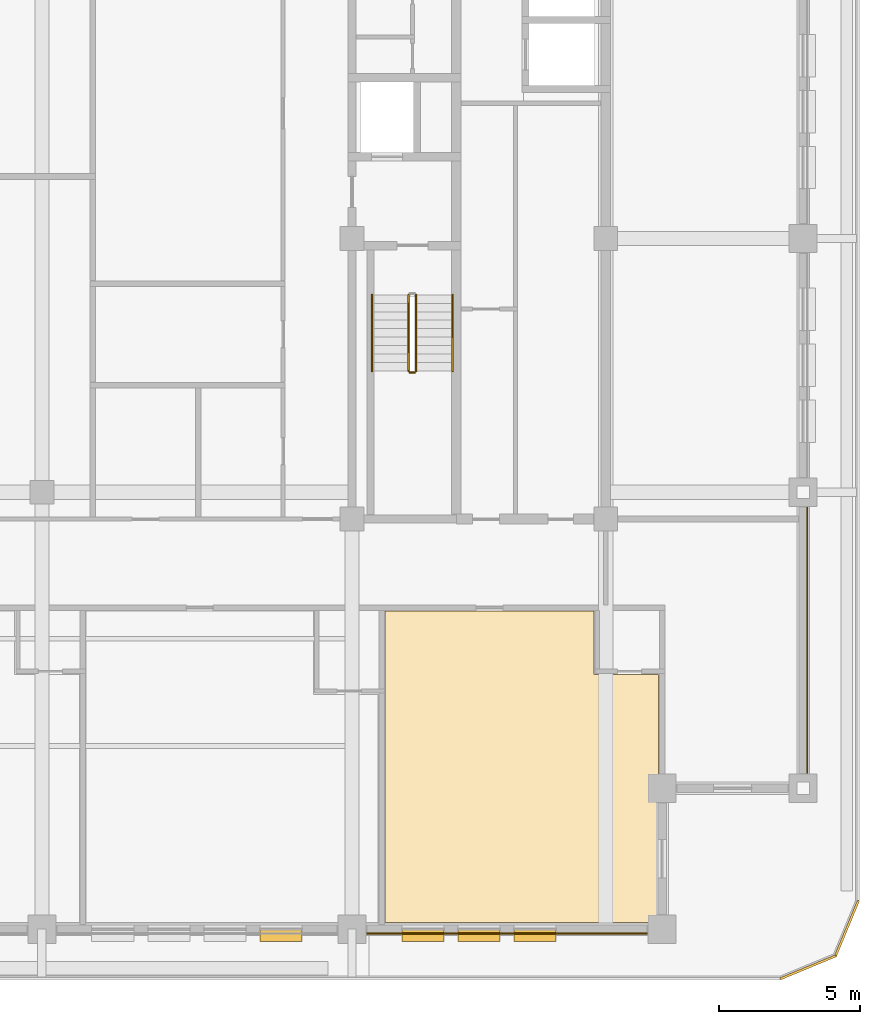
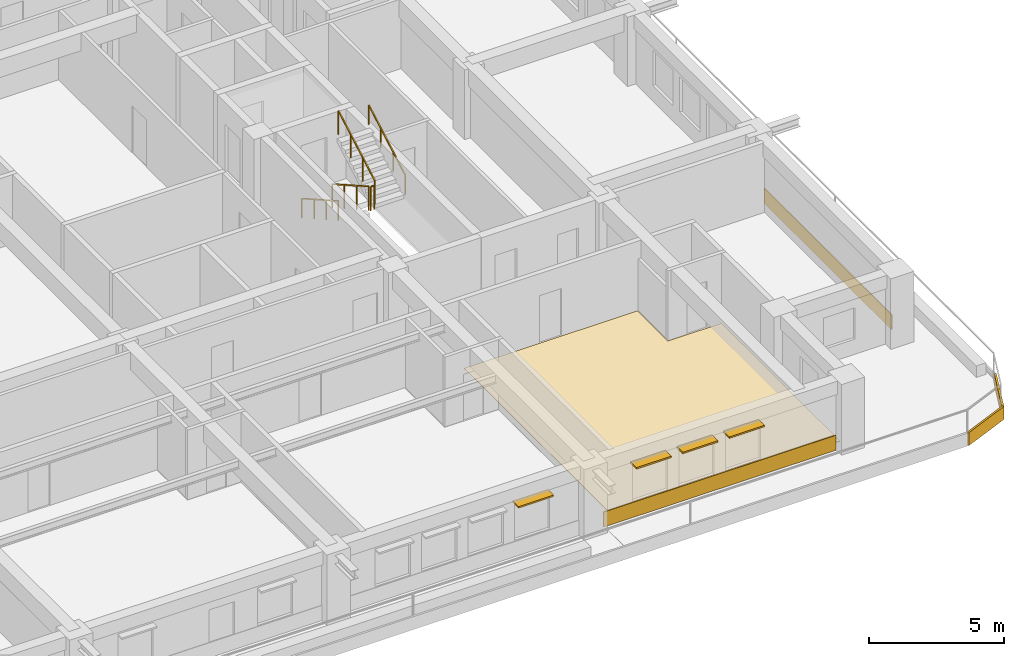
# One storey, part 12 of 14: 5 coverings, 5 railings, 4 shading devices.
"""IFC4 building model written with IfcOpenShell, lengths in metres."""

import ifcopenshell
import ifcopenshell.guid

model = None  # the IFC model being written
_history = None  # IfcOwnerHistory: only IFC2X3 demands one
_inside = {}  # id of a spatial element -> (the spatial element, [elements in it])
_under = {}  # id of a project, library or spatial element -> (it, [spatial elements below it])
_declared = {}  # id of a project -> (the project, [libraries it declares])
_typed = {}  # id of a type object -> (the type object, [elements of that type])
_made_of = {}  # id of a material, layer set ... -> (it, [elements and type objects made of it])


def new_model(schema):
    """Start an empty IFC model of exactly this schema.

    Asked for "IFC4X3", IfcOpenShell would pick the latest addendum, in which some entities
    have other attributes; the version numbers below select the first issue.
    IFC2X3 requires an IfcOwnerHistory on every rooted entity: one is made here for all.
    """
    global model, _history
    if schema == "IFC4X3":
        model = ifcopenshell.file(schema_version=(4, 3, 0, 0))
    else:
        model = ifcopenshell.file(schema=schema)
    _inside.clear()
    _under.clear()
    _declared.clear()
    _typed.clear()
    _made_of.clear()
    _history = None
    if model.schema == "IFC2X3":
        org = make("IfcOrganization", Name="unknown")
        user = make(
            "IfcPersonAndOrganization",
            ThePerson=make("IfcPerson", FamilyName="unknown"),
            TheOrganization=org,
        )
        app = make(
            "IfcApplication",
            ApplicationDeveloper=org,
            Version="unknown",
            ApplicationFullName="unknown",
            ApplicationIdentifier="unknown",
        )
        _history = make(
            "IfcOwnerHistory",
            OwningUser=user,
            OwningApplication=app,
            ChangeAction="ADDED",
            CreationDate=0,
        )
    return model


def make(cls, **values):
    """One entity of the class cls with the attributes given. An attribute that is None is left unset."""
    return model.create_entity(
        cls, **{name: value for name, value in values.items() if value is not None}
    )


def rooted(cls, **values):
    """An entity with a GlobalId (a new one), such as an element, a storey or a relation."""
    return make(cls, GlobalId=ifcopenshell.guid.new(), OwnerHistory=_history, **values)


def si_unit(unit_type, name, prefix=None):
    """IfcSIUnit, for example si_unit("LENGTHUNIT", "METRE", prefix="MILLI")."""
    return make("IfcSIUnit", UnitType=unit_type, Prefix=prefix, Name=name)


def assignment(units):
    """IfcUnitAssignment: the units of a project."""
    return None if units is None else make("IfcUnitAssignment", Units=units)


def point(xyz):
    """IfcCartesianPoint."""
    return None if xyz is None else make("IfcCartesianPoint", Coordinates=xyz)


def direction(xyz):
    """IfcDirection."""
    return None if xyz is None else make("IfcDirection", DirectionRatios=xyz)


def frame(location, z_axis=None, x_axis=None):
    """IfcAxis2Placement3D, a coordinate frame: its origin and axes. An axis left out is left unset."""
    return make(
        "IfcAxis2Placement3D",
        Location=point(location),
        Axis=direction(z_axis),
        RefDirection=direction(x_axis),
    )


def frame_2d(location, x_axis=None):
    """IfcAxis2Placement2D, a coordinate frame in the plane: its origin and x axis."""
    return make(
        "IfcAxis2Placement2D", Location=point(location), RefDirection=direction(x_axis)
    )


def origin():
    """The frame at (0, 0, 0) with its axes left unset."""
    return frame((0.0, 0.0, 0.0))


def origin_2d():
    """The frame at (0, 0) in the plane with its x axis left unset."""
    return frame_2d((0.0, 0.0))


def place(relative_to, where):
    """IfcLocalPlacement: puts the frame where relative to a parent placement (None: the world)."""
    return make(
        "IfcLocalPlacement", PlacementRelTo=relative_to, RelativePlacement=where
    )


def context(
    kind, dimensions, precision=None, world=None, true_north=None, identifier=None
):
    """IfcGeometricRepresentationContext, for example the 3D "Model" context."""
    return make(
        "IfcGeometricRepresentationContext",
        ContextIdentifier=identifier,
        ContextType=kind,
        CoordinateSpaceDimension=dimensions,
        Precision=precision,
        WorldCoordinateSystem=world,
        TrueNorth=true_north,
    )


def subcontext(parent, identifier, kind, view, scale=None):
    """IfcGeometricRepresentationSubContext, for example "Body" below "Model"."""
    return make(
        "IfcGeometricRepresentationSubContext",
        ContextIdentifier=identifier,
        ContextType=kind,
        ParentContext=parent,
        TargetScale=scale,
        TargetView=view,
    )


def project(units=None, contexts=None):
    """IfcProject with its units and contexts."""
    return rooted(
        "IfcProject",
        Name="project",
        RepresentationContexts=contexts,
        UnitsInContext=assignment(units),
    )


def spatial(cls, under=None, at=None, **own):
    """A site, building, storey or space (cls), placed at a placement, below another one or the project."""
    s = rooted(cls, ObjectPlacement=at, **own)
    if under is not None:
        _under.setdefault(under.id(), (under, []))[1].append(s)
    return s


def polyline(points):
    """IfcPolyline through the points."""
    return make("IfcPolyline", Points=[point(p) for p in points])


def profile(cls, at=None, kind="AREA", **sizes):
    """A parametric profile (cls). Its sizes go by their IFC names, for example OverallWidth=200.0."""
    return make(cls, ProfileType=kind, Position=at, **sizes)


def rectangle(**sizes):
    """IfcRectangleProfileDef."""
    return profile("IfcRectangleProfileDef", **sizes)


def outline(outer, holes=None, kind="AREA"):
    """IfcArbitraryClosedProfileDef: a profile drawn as a closed curve; with holes, ...WithVoids."""
    if holes is None:
        return make("IfcArbitraryClosedProfileDef", ProfileType=kind, OuterCurve=outer)
    return make(
        "IfcArbitraryProfileDefWithVoids",
        ProfileType=kind,
        OuterCurve=outer,
        InnerCurves=holes,
    )


def extrude(swept, where, along, depth):
    """IfcExtrudedAreaSolid: the profile swept, set in the frame where, extruded along a direction by depth."""
    return make(
        "IfcExtrudedAreaSolid",
        SweptArea=swept,
        Position=where,
        ExtrudedDirection=direction(along),
        Depth=depth,
    )


def shape(context_of_items, identifier, shape_type, items):
    """IfcShapeRepresentation: the items that make up one representation, for example the "Body"."""
    return make(
        "IfcShapeRepresentation",
        ContextOfItems=context_of_items,
        RepresentationIdentifier=identifier,
        RepresentationType=shape_type,
        Items=items,
    )


def material(Name=None, Category=None):
    """IfcMaterial."""
    return make("IfcMaterial", Name=Name, Category=Category)


def layer(
    of_material, thickness, ventilated=None, Name=None, Category=None, Priority=None
):
    """IfcMaterialLayer: one layer of a wall or slab, of a material (None: an air gap)."""
    return make(
        "IfcMaterialLayer",
        Material=of_material,
        LayerThickness=thickness,
        IsVentilated=ventilated,
        Name=Name,
        Category=Category,
        Priority=Priority,
    )


def layer_set(layers, Name=None):
    """IfcMaterialLayerSet."""
    return make("IfcMaterialLayerSet", MaterialLayers=layers, LayerSetName=Name)


def made_of(thing, what):
    """Note that an element or type object is made of a material, layer set ...; save() writes the relation."""
    if what is not None:
        _made_of.setdefault(what.id(), (what, []))[1].append(thing)
    return thing


def type_object(cls, material=None, **own):
    """A type object (cls), such as IfcWallType, which elements share."""
    return made_of(rooted(cls, **own), material)


def element(
    cls,
    number,
    at=None,
    inside=None,
    cuts=None,
    type_object=None,
    material=None,
    context=None,
    identifier="Body",
    shape_type=None,
    held_by="IfcProductDefinitionShape",
    body=None,
    shapes=None,
    **own,
):
    """One element of the class cls, such as IfcWall. Its Tag is "e" and its number.

    at: its placement. inside: the storey or other place that contains it. cuts: it is an
    opening in that element (IfcRelVoidsElement). A single representation is given by context,
    identifier, shape_type and body (its items); several are given by shapes. held_by: the class
    of the entity that holds the representations. save() writes the other relations.
    """
    e = rooted(cls, Tag="e%d" % number, ObjectPlacement=at, **own)
    if body is not None:
        shapes = [shape(context, identifier, shape_type, body)]
    if shapes is not None:
        e.Representation = make(held_by, Representations=shapes)
    if inside is not None:
        _inside.setdefault(inside.id(), (inside, []))[1].append(e)
    if cuts is not None:
        rooted(
            "IfcRelVoidsElement", RelatingBuildingElement=cuts, RelatedOpeningElement=e
        )
    if type_object is not None:
        _typed.setdefault(type_object.id(), (type_object, []))[1].append(e)
    return made_of(e, material)


def aggregate(whole, parts):
    """IfcRelAggregates: a whole, such as a stair, and the parts it consists of."""
    return rooted("IfcRelAggregates", RelatingObject=whole, RelatedObjects=parts)


def save(model, path):
    """Write the relations noted so far, then the file.

    IfcRelAggregates (storeys below a building ...), IfcRelContainedInSpatialStructure (elements
    in a storey), IfcRelDefinesByType, IfcRelAssociatesMaterial and IfcRelDeclares: one each for
    every whole, place, type object, material and project.
    """
    for whole, parts in _under.values():
        aggregate(whole, parts)
    for where, things in _inside.values():
        rooted(
            "IfcRelContainedInSpatialStructure",
            RelatedElements=things,
            RelatingStructure=where,
        )
    for kind, things in _typed.values():
        rooted("IfcRelDefinesByType", RelatedObjects=things, RelatingType=kind)
    for what, things in _made_of.values():
        rooted("IfcRelAssociatesMaterial", RelatedObjects=things, RelatingMaterial=what)
    for by, libraries in _declared.values():
        rooted("IfcRelDeclares", RelatingContext=by, RelatedDefinitions=libraries)
    model.write(path)


model = new_model("IFC4")

# Units and contexts
model_context = context("Model", 3, precision=1e-05, world=origin(), true_north=direction((0.0, 1.0)))
body_context = subcontext(model_context, "Body", "Model", "MODEL_VIEW")
ifc_project = project(units=[si_unit("LENGTHUNIT", "METRE"), si_unit("AREAUNIT", "SQUARE_METRE"), si_unit("VOLUMEUNIT", "CUBIC_METRE"), si_unit("PLANEANGLEUNIT", "RADIAN"), si_unit("MASSUNIT", "GRAM", prefix="KILO")], contexts=[model_context])

# Site, building, storey
site_placement = place(None, origin())
site = spatial("IfcSite", under=ifc_project, at=site_placement, CompositionType="ELEMENT")
building_placement = place(site_placement, origin())
building = spatial("IfcBuilding", under=site, at=building_placement, Name="Zulmaris Gate Convention Tower", CompositionType="ELEMENT")
storey_placement = place(building_placement, frame((0.0, 0.0, 162.659912109375)))
storey = spatial("IfcBuildingStorey", under=building, at=storey_placement, Name="L41", CompositionType="ELEMENT", Elevation=162.659912109375)

# Coverings
ifc_material_1 = material(Name="Precast concrete C40/50", Category="concrete")
ifc_layer_1 = layer(ifc_material_1, 0.0400390625, Name="Precast concrete C40/50")
ifc_layer_set_1 = layer_set([ifc_layer_1], Name="Precast concrete C40/50")
covering_type_1 = type_object("IfcCoveringType", Name="CLAD-SPANDREL-PRECAST", PredefinedType="CLADDING", material=ifc_layer_set_1)
covering_1_placement = place(storey_placement, frame((11.530029296875, -24.64990234375, 0.0), z_axis=(0.0, 0.0, 1.0), x_axis=(1.0, 0.0, 0.0)))
element("IfcCovering", 1, at=covering_1_placement, inside=storey, type_object=covering_type_1, Name="CLD-L41-S-3_0", PredefinedType="CLADDING", context=body_context, shape_type="SweptSolid", body=[
    extrude(rectangle(XDim=9.93994140625, YDim=0.0400390625, at=frame_2d((4.969970703125, 0.0))), origin(), (0.0, 0.0, 1.0), 0.679931640625),
])
covering_2_placement = place(storey_placement, frame((27.14990234375, -18.969970703125, 0.0), z_axis=(0.0, 0.0, 1.0), x_axis=(0.0, 1.0, 0.0)))
element("IfcCovering", 2, at=covering_2_placement, inside=storey, type_object=covering_type_1, Name="CLD-L41-E-0_0", PredefinedType="CLADDING", context=body_context, shape_type="SweptSolid", body=[
    extrude(rectangle(XDim=9.43994140625, YDim=0.0400390625, at=frame_2d((4.719970703125, 0.0))), origin(), (0.0, 0.0, 1.0), 0.679931640625),
])
ifc_material_2 = material(Name="White Glazed Architectural Precast Concrete C40/50", Category="concrete")
ifc_layer_2 = layer(ifc_material_2, 0.080078125, Name="White Glazed Architectural Precast Concrete C40/50")
ifc_layer_set_2 = layer_set([ifc_layer_2], Name="White Glazed Architectural Precast Concrete C40/50")
covering_type_2 = type_object("IfcCoveringType", Name="CLAD-TRAY-FASCIA", PredefinedType="CLADDING", material=ifc_layer_set_2)
covering_3_placement = place(storey_placement, frame((26.184814453125, -26.262939453125, -0.465087890625), z_axis=(0.0, 0.0, 1.0), x_axis=(0.923873803533, 0.382697263049, 0.0)))
element("IfcCovering", 3, at=covering_3_placement, inside=storey, type_object=covering_type_2, Name="FSC-L41-TR-03", PredefinedType="CLADDING", context=body_context, shape_type="SweptSolid", body=[
    extrude(rectangle(XDim=2.142822265625, YDim=0.080078125, at=frame_2d((1.0712890625, 0.0))), origin(), (0.0, 0.0, 1.0), 0.5849609375),
])
covering_4_placement = place(storey_placement, frame((28.142822265625, -25.464599609375, -0.465087890625), z_axis=(0.0, 0.0, 1.0), x_axis=(0.382656984709, 0.923890487046, 0.0)))
element("IfcCovering", 4, at=covering_4_placement, inside=storey, type_object=covering_type_2, Name="FSC-L41-TR-04", PredefinedType="CLADDING", context=body_context, shape_type="SweptSolid", body=[
    extrude(rectangle(XDim=2.14306640625, YDim=0.080078125, at=frame_2d((1.071533203125, 0.0))), origin(), (0.0, 0.0, 1.0), 0.5849609375),
])
ifc_material_3 = material(Name="Engineered Teak Parquet Flooring")
ifc_layer_3 = layer(ifc_material_3, 0.02001953125, Name="Engineered Teak Parquet Flooring")
ifc_layer_set_3 = layer_set([ifc_layer_3], Name="Engineered Teak Parquet Flooring")
covering_type_3 = type_object("IfcCoveringType", Name="FLR-TIMBER-18", PredefinedType="FLOORING", material=ifc_layer_set_3)
covering_5_placement = place(storey_placement, origin())
element("IfcCovering", 5, at=covering_5_placement, inside=storey, type_object=covering_type_3, Name="FLR-L41-R50", PredefinedType="FLOORING", context=body_context, shape_type="SweptSolid", body=[
    extrude(outline(polyline([(12.169921875, -24.260009765625), (21.8798828125, -24.260009765625), (21.8798828125, -15.469970703125), (19.580078125, -15.469970703125), (19.580078125, -13.219970703125), (12.169921875, -13.219970703125), (12.169921875, -24.260009765625)])), origin(), (0.0, 0.0, 1.0), 0.02001953125),
])

# Railings
ifc_material_4 = material(Name="Painted Galvanised Steel", Category="steel")
railing_type_1 = type_object("IfcRailingType", Name="RL-STG-1150", PredefinedType="GUARDRAIL", material=ifc_material_4)
railing_1_placement = place(storey_placement, frame((13.010009765625, -2.0, 0.169921875)))
element("IfcRailing", 6, at=railing_1_placement, inside=storey, type_object=railing_type_1, Name="L41 ST-2 stair guard 1", PredefinedType="GUARDRAIL", context=body_context, shape_type="SweptSolid", body=[
    extrude(rectangle(XDim=0.048095703125, YDim=0.048095703125, at=origin_2d()), frame((0.0, 0.0, 1.076171875), z_axis=(0.0, -0.870014312096, 0.49302646658), x_axis=(1.0, 0.0, 0.0)), (0.0, 0.0, 1.0), 3.103271484375),
    extrude(rectangle(XDim=0.0419921875, YDim=0.0419921875, at=origin_2d()), origin(), (0.0, 0.0, 1.0), 1.052001953125),
    extrude(rectangle(XDim=0.0419921875, YDim=0.0419921875, at=origin_2d()), frame((0.0, -0.89990234375, 0.510009765625)), (0.0, 0.0, 1.0), 1.052001953125),
    extrude(rectangle(XDim=0.0419921875, YDim=0.0419921875, at=origin_2d()), frame((0.0, -1.800048828125, 1.02001953125)), (0.0, 0.0, 1.0), 1.052001953125),
    extrude(rectangle(XDim=0.0419921875, YDim=0.0419921875, at=origin_2d()), frame((0.0, -2.699951171875, 1.530029296875)), (0.0, 0.0, 1.0), 1.052001953125),
])
railing_2_placement = place(storey_placement, frame((13.06005859375, -4.75, 1.699951171875)))
element("IfcRailing", 7, at=railing_2_placement, inside=storey, type_object=railing_type_1, Name="L41 ST-2 stair guard 2", PredefinedType="GUARDRAIL", context=body_context, shape_type="SweptSolid", body=[
    extrude(rectangle(XDim=0.048095703125, YDim=0.048095703125, at=origin_2d()), frame((0.0, 0.0, 1.076171875), z_axis=(1.0, 0.0, 0.0), x_axis=(0.0, 1.0, 0.0)), (0.0, 0.0, 1.0), 0.159912109375),
    extrude(rectangle(XDim=0.0419921875, YDim=0.0419921875, at=origin_2d()), origin(), (0.0, 0.0, 1.0), 1.052001953125),
    extrude(rectangle(XDim=0.0419921875, YDim=0.0419921875, at=origin_2d()), frame((0.159912109375, 0.0, 0.0)), (0.0, 0.0, 1.0), 1.052001953125),
])
railing_3_placement = place(storey_placement, frame((13.27001953125, -4.699951171875, 1.869873046875)))
element("IfcRailing", 8, at=railing_3_placement, inside=storey, type_object=railing_type_1, Name="L41 ST-2 stair guard 3", PredefinedType="GUARDRAIL", context=body_context, shape_type="SweptSolid", body=[
    extrude(rectangle(XDim=0.048095703125, YDim=0.048095703125, at=origin_2d()), frame((0.0, 0.0, 1.076171875), z_axis=(0.0, 0.870014312096, 0.49302646658), x_axis=(-1.0, 0.0, 0.0)), (0.0, 0.0, 1.0), 3.103271484375),
    extrude(rectangle(XDim=0.0419921875, YDim=0.0419921875, at=origin_2d()), origin(), (0.0, 0.0, 1.0), 1.052001953125),
    extrude(rectangle(XDim=0.0419921875, YDim=0.0419921875, at=origin_2d()), frame((0.0, 0.89990234375, 0.510009765625)), (0.0, 0.0, 1.0), 1.052001953125),
    extrude(rectangle(XDim=0.0419921875, YDim=0.0419921875, at=origin_2d()), frame((0.0, 1.800048828125, 1.02001953125)), (0.0, 0.0, 1.0), 1.052001953125),
    extrude(rectangle(XDim=0.0419921875, YDim=0.0419921875, at=origin_2d()), frame((0.0, 2.699951171875, 1.530029296875)), (0.0, 0.0, 1.0), 1.052001953125),
])
ifc_material_5 = material(Name="Brushed Stainless Steel", Category="steel")
railing_type_2 = type_object("IfcRailingType", Name="RL-STH-900", PredefinedType="HANDRAIL", material=ifc_material_5)
railing_4_placement = place(storey_placement, frame((11.7099609375, -2.0, 0.169921875)))
element("IfcRailing", 9, at=railing_4_placement, inside=storey, type_object=railing_type_2, Name="L41 ST-2 stair handrail 1", PredefinedType="HANDRAIL", context=body_context, shape_type="SweptSolid", body=[
    extrude(rectangle(XDim=0.048095703125, YDim=0.048095703125, at=origin_2d()), frame((0.0, 0.0, 0.8759765625), z_axis=(0.0, -0.870014312096, 0.49302646658), x_axis=(1.0, 0.0, 0.0)), (0.0, 0.0, 1.0), 3.103271484375),
    extrude(rectangle(XDim=0.0419921875, YDim=0.0419921875, at=origin_2d()), origin(), (0.0, 0.0, 1.0), 0.851806640625),
    extrude(rectangle(XDim=0.0419921875, YDim=0.0419921875, at=origin_2d()), frame((0.0, -0.89990234375, 0.510009765625)), (0.0, 0.0, 1.0), 0.851806640625),
    extrude(rectangle(XDim=0.0419921875, YDim=0.0419921875, at=origin_2d()), frame((0.0, -1.800048828125, 1.02001953125)), (0.0, 0.0, 1.0), 0.851806640625),
    extrude(rectangle(XDim=0.0419921875, YDim=0.0419921875, at=origin_2d()), frame((0.0, -2.699951171875, 1.530029296875)), (0.0, 0.0, 1.0), 0.851806640625),
])
railing_5_placement = place(storey_placement, frame((14.570068359375, -4.699951171875, 1.869873046875)))
element("IfcRailing", 10, at=railing_5_placement, inside=storey, type_object=railing_type_2, Name="L41 ST-2 stair handrail 2", PredefinedType="HANDRAIL", context=body_context, shape_type="SweptSolid", body=[
    extrude(rectangle(XDim=0.048095703125, YDim=0.048095703125, at=origin_2d()), frame((0.0, 0.0, 0.8759765625), z_axis=(0.0, 0.870014312096, 0.49302646658), x_axis=(-1.0, 0.0, 0.0)), (0.0, 0.0, 1.0), 3.103271484375),
    extrude(rectangle(XDim=0.0419921875, YDim=0.0419921875, at=origin_2d()), origin(), (0.0, 0.0, 1.0), 0.851806640625),
    extrude(rectangle(XDim=0.0419921875, YDim=0.0419921875, at=origin_2d()), frame((0.0, 0.89990234375, 0.510009765625)), (0.0, 0.0, 1.0), 0.851806640625),
    extrude(rectangle(XDim=0.0419921875, YDim=0.0419921875, at=origin_2d()), frame((0.0, 1.800048828125, 1.02001953125)), (0.0, 0.0, 1.0), 0.851806640625),
    extrude(rectangle(XDim=0.0419921875, YDim=0.0419921875, at=origin_2d()), frame((0.0, 2.699951171875, 1.530029296875)), (0.0, 0.0, 1.0), 0.851806640625),
])

# Shading devices
ifc_material_6 = material(Name="Glazed Ceramic Terracotta", Category="masonry")
ifc_layer_4 = layer(ifc_material_6, 0.070068359375, Name="Glazed Ceramic Terracotta")
ifc_layer_set_4 = layer_set([ifc_layer_4], Name="Glazed Ceramic Terracotta")
shading_device_type = type_object("IfcShadingDeviceType", Name="SHD-SUNSHADE-TC", PredefinedType="AWNING", material=ifc_layer_set_4)
for number, where, z_axis, x_axis, name in (
    (11, (7.73193359375, -24.719970703125, 2.35009765625), (0.0, 0.0, 1.0), (1.0, 0.0, 0.0), "SHD-EW-L41-S-2_0-4"),
    (12, (12.76806640625, -24.719970703125, 2.35009765625), (0.0, 0.0, 1.0), (1.0, 0.0, 0.0), "SHD-EW-L41-S-3_0-1"),
    (13, (14.756103515625, -24.719970703125, 2.35009765625), (0.0, 0.0, 1.0), (1.0, 0.0, 0.0), "SHD-EW-L41-S-3_0-2"),
    (14, (16.743896484375, -24.719970703125, 2.35009765625), (0.0, 0.0, 1.0), (1.0, 0.0, 0.0), "SHD-EW-L41-S-3_0-3"),
):
    element("IfcShadingDevice", number, at=place(storey_placement, frame(where, z_axis=z_axis, x_axis=x_axis)), inside=storey, type_object=shading_device_type, Name=name, PredefinedType="AWNING", context=body_context, shape_type="SweptSolid", body=[
        extrude(rectangle(XDim=1.5, YDim=0.43994140625, at=frame_2d((0.75, 0.0))), origin(), (0.0, 0.0, 1.0), 0.06982421875),
    ])

save(model, "model.ifc")
